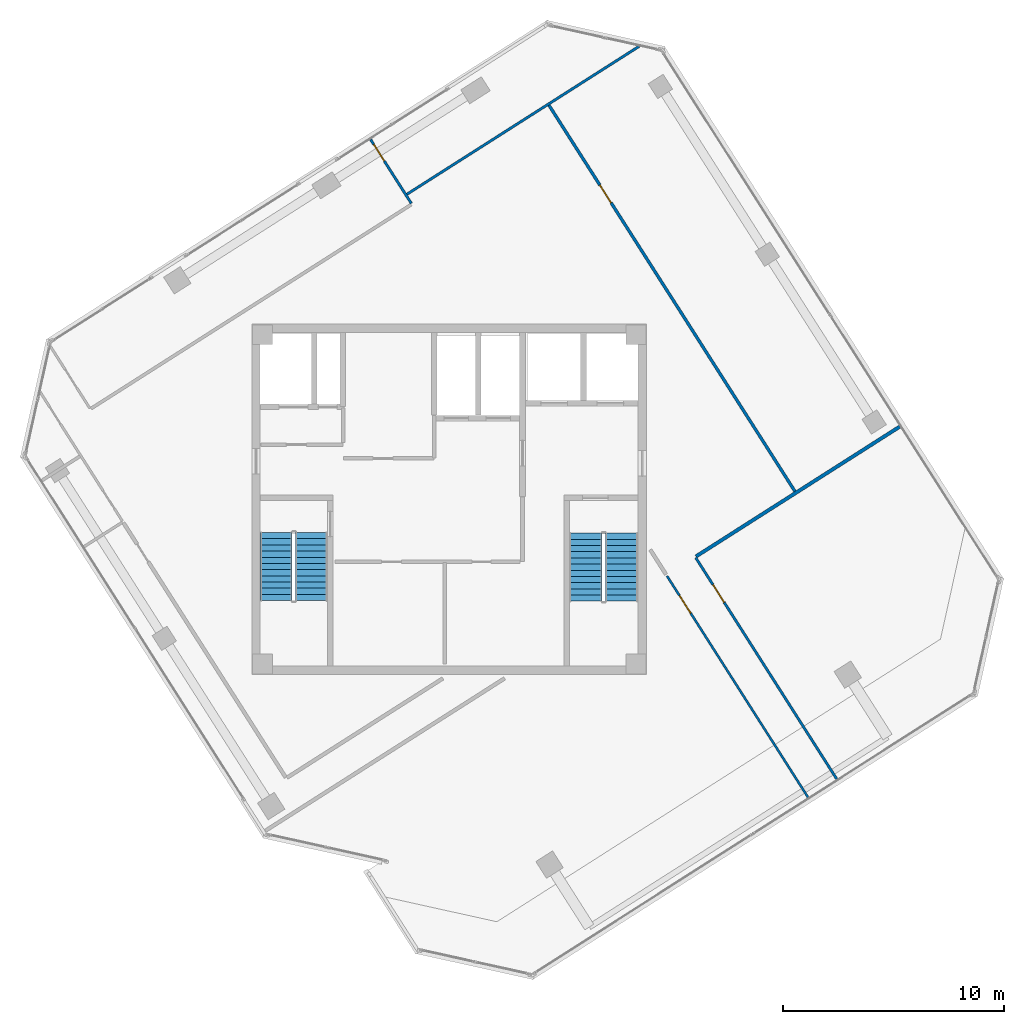
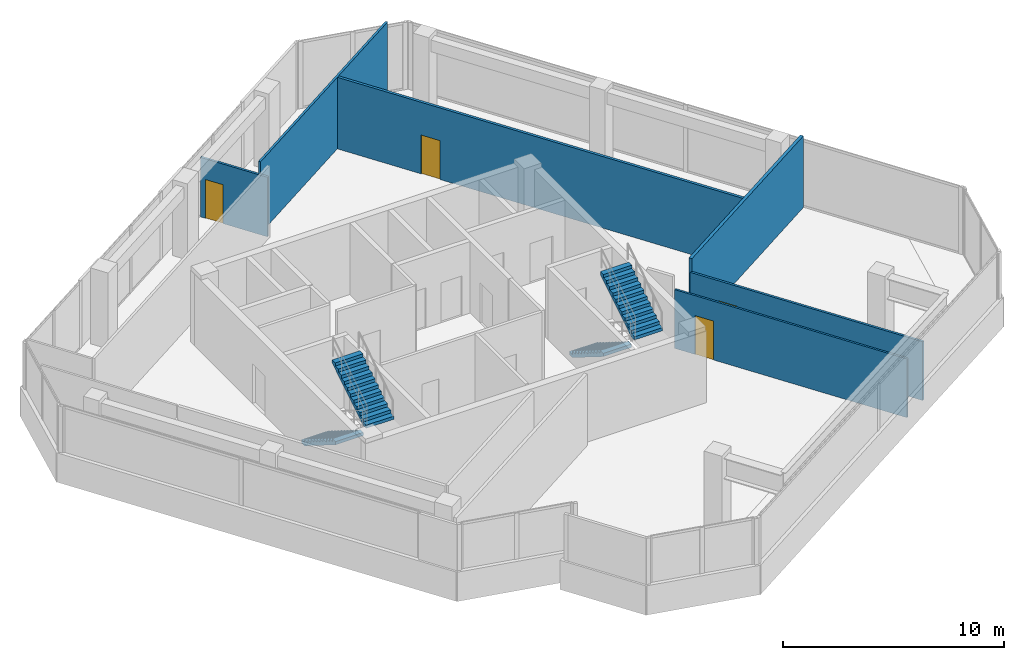
# One storey, part 12 of 15: 6 walls, 4 doors, 4 stair flights, 4 openings, 2 elements without a shape of their own.
"""IFC4 building model written with IfcOpenShell, lengths in metres."""

from ifc_helpers import new_model, si_unit, direction, frame, frame_2d, origin, place, context, subcontext, project, spatial, polyline, rectangle, outline, extrude, source, transform, mapped, material, layer, layer_set, type_object, element, fill, aggregate, save


model = new_model("IFC4")

# Units and contexts
model_context = context("Model", 3, precision=1e-05, world=origin(), true_north=direction((0.0, 1.0)))
body_context = subcontext(model_context, "Body", "Model", "MODEL_VIEW")
ifc_project = project(units=[si_unit("LENGTHUNIT", "METRE"), si_unit("AREAUNIT", "SQUARE_METRE"), si_unit("VOLUMEUNIT", "CUBIC_METRE"), si_unit("PLANEANGLEUNIT", "RADIAN"), si_unit("MASSUNIT", "GRAM", prefix="KILO")], contexts=[model_context])

# Site, building, storey
site_placement = place(None, origin())
site = spatial("IfcSite", under=ifc_project, at=site_placement, CompositionType="ELEMENT")
building_placement = place(site_placement, origin())
building = spatial("IfcBuilding", under=site, at=building_placement, Name="Torre Montelarca", CompositionType="ELEMENT")
storey_placement = place(building_placement, frame((0.0, 0.0, 311.39990234375)))
storey = spatial("IfcBuildingStorey", under=building, at=storey_placement, Name="L70", CompositionType="ELEMENT", Elevation=311.39990234375)

# Wall
ifc_material_1 = material(Name="Gypsum plasterboard on steel stud", Category="steel")
ifc_layer_1 = layer(ifc_material_1, 0.159912109375, Name="Gypsum plasterboard on steel stud", Category="steel")
ifc_layer_set_1 = layer_set([ifc_layer_1], Name="Gypsum plasterboard on steel stud")
wall_type_1 = type_object("IfcWallType", Name="PW-FIRE-160", PredefinedType="PARTITIONING", material=ifc_layer_set_1)
wall_1_placement = place(storey_placement, frame((29.16943359375, 29.416015625, 0.0), z_axis=(0.0, 0.0, 1.0), x_axis=(0.843389386546, 0.537302840734, 0.0)))
element("IfcWall", 1, at=wall_1_placement, inside=storey, type_object=wall_type_1, Name="L70 Interior Partition W-L70-ECN", PredefinedType="PARTITIONING", context=body_context, shape_type="SweptSolid", body=[
    extrude(rectangle(XDim=10.940185546875, YDim=0.159912109375, at=frame_2d((5.47021484375, 0.0))), origin(), (0.0, 0.0, 1.0), 3.960205078125),
])

# Wall, opening, door
ifc_material_2 = material(Name="Acoustic laminated glass partition", Category="glass")
ifc_layer_2 = layer(ifc_material_2, 0.10009765625, Name="Acoustic laminated glass partition", Category="glass")
ifc_layer_set_2 = layer_set([ifc_layer_2], Name="Acoustic laminated glass partition")
wall_type_2 = type_object("IfcWallType", Name="PW-GLAZ-100", PredefinedType="PARTITIONING", material=ifc_layer_set_2)
wall_2_placement = place(storey_placement, frame((27.8583984375, 28.533447265625, 0.0), z_axis=(0.0, 0.0, 1.0), x_axis=(0.537294294715, -0.843394830946, 0.0)))
wall_2 = element("IfcWall", 2, at=wall_2_placement, inside=storey, type_object=wall_type_2, Name="L70 Interior Partition W-L70-SE-N", PredefinedType="PARTITIONING", context=body_context, shape_type="SweptSolid", body=[
    extrude(rectangle(XDim=11.8798828125, YDim=0.10009765625, at=frame_2d((5.93994140625, 0.0))), origin(), (0.0, 0.0, 1.0), 3.252685546875),
])
opening_1_placement = place(wall_2_placement, frame((1.050048828125, 0.0, 0.0)))
opening_1 = element("IfcOpeningElement", 3, at=opening_1_placement, cuts=wall_2, Name="Opening ID-095", PredefinedType="OPENING", context=body_context, shape_type="SweptSolid", body=[
    extrude(rectangle(XDim=0.949951171875, YDim=2.14990234375, at=frame_2d((0.47509765625, 1.074951171875))), frame((0.0, 0.06005859375, 0.0), z_axis=(0.0, -1.0, 0.0), x_axis=(1.0, 0.0, 0.0)), (0.0, 0.0, 1.0), 0.1201171875),
])
ifc_material_3 = material(Name="Hardwood acoustic timber veneer", Category="wood")
door_type_1 = type_object("IfcDoorType", Name="DR-INT-095", OperationType="NOTDEFINED", PredefinedType="DOOR", material=ifc_material_3)
shared_shape_1 = source(origin(), body_context, "Body", "SweptSolid", [
    extrude(rectangle(XDim=0.949951171875, YDim=2.14990234375, at=frame_2d((0.47509765625, 1.074951171875))), frame((0.0, 0.02490234375, 0.0), z_axis=(0.0, -1.0, 0.0), x_axis=(1.0, 0.0, 0.0)), (0.0, 0.0, 1.0), 0.050048828125),
])
door_1_placement = place(opening_1_placement, origin())
door_1 = element("IfcDoor", 4, at=door_1_placement, inside=storey, type_object=door_type_1, Name="L70 Interior Door 12", OperationType="SINGLE_SWING_LEFT", OverallHeight=2.14990234375, OverallWidth=0.949951171875, PredefinedType="DOOR", context=body_context, shape_type="MappedRepresentation", body=[
    mapped(shared_shape_1, transform((0.0, 0.0, 0.0), scale=1.0)),
])
fill(opening_1, door_1)

ifc_layer_3 = layer(ifc_material_1, 0.114990234375, Name="Gypsum plasterboard on steel stud", Category="steel")
ifc_layer_set_3 = layer_set([ifc_layer_3], Name="Gypsum plasterboard on steel stud")
wall_type_3 = type_object("IfcWallType", Name="PW-PART-115", PredefinedType="PARTITIONING", material=ifc_layer_set_3)
wall_3_placement = place(storey_placement, frame((14.447998046875, 48.28076171875, 0.0), z_axis=(0.0, 0.0, 1.0), x_axis=(0.537285301829, -0.843400559899, 0.0)))
wall_3 = element("IfcWall", 5, at=wall_3_placement, inside=storey, type_object=wall_type_3, Name="L70 Interior Partition W-L70-WPKN", PredefinedType="PARTITIONING", context=body_context, shape_type="SweptSolid", body=[
    extrude(rectangle(XDim=3.43017578125, YDim=0.114990234375, at=frame_2d((1.715087890625, 0.0))), origin(), (0.0, 0.0, 1.0), 3.295166015625),
])
opening_2_placement = place(wall_3_placement, frame((0.25, 0.0, 0.0)))
opening_2 = element("IfcOpeningElement", 6, at=opening_2_placement, cuts=wall_3, Name="Opening ID-090", PredefinedType="OPENING", context=body_context, shape_type="SweptSolid", body=[
    extrude(rectangle(XDim=0.89990234375, YDim=2.14990234375, at=frame_2d((0.449951171875, 1.074951171875))), frame((0.0, 0.0673828125, 0.0), z_axis=(0.0, -1.0, 0.0), x_axis=(1.0, 0.0, 0.0)), (0.0, 0.0, 1.0), 0.135009765625),
])
door_type_2 = type_object("IfcDoorType", Name="DR-INT-090", OperationType="NOTDEFINED", PredefinedType="DOOR", material=ifc_material_3)
shared_shape_2 = source(origin(), body_context, "Body", "SweptSolid", [
    extrude(rectangle(XDim=0.89990234375, YDim=2.14990234375, at=frame_2d((0.449951171875, 1.074951171875))), frame((0.0, 0.02490234375, 0.0), z_axis=(0.0, -1.0, 0.0), x_axis=(1.0, 0.0, 0.0)), (0.0, 0.0, 1.0), 0.050048828125),
])
door_2_placement = place(opening_2_placement, origin())
door_2 = element("IfcDoor", 7, at=door_2_placement, inside=storey, type_object=door_type_2, Name="L70 Interior Door 10", OperationType="SINGLE_SWING_RIGHT", OverallHeight=2.14990234375, OverallWidth=0.89990234375, PredefinedType="DOOR", context=body_context, shape_type="MappedRepresentation", body=[
    mapped(shared_shape_2, transform((0.0, 0.0, 0.0), scale=1.0)),
])
fill(opening_2, door_2)

# Wall
wall_4_placement = place(storey_placement, frame((16.077392578125, 45.79736328125, 0.0), z_axis=(0.0, 0.0, 1.0), x_axis=(0.843392973199, 0.537297210824, 0.0)))
element("IfcWall", 8, at=wall_4_placement, inside=storey, type_object=wall_type_3, Name="L70 Interior Partition W-L70-WPKE2", PredefinedType="PARTITIONING", context=body_context, shape_type="SweptSolid", body=[
    extrude(rectangle(XDim=12.471923828125, YDim=0.114990234375, at=frame_2d((6.23583984375, 0.0))), origin(), (0.0, 0.0, 1.0), 3.960205078125),
])

# Wall, opening, door
wall_5_placement = place(storey_placement, frame((29.1572265625, 29.36083984375, 0.0), z_axis=(0.0, 0.0, 1.0), x_axis=(0.537294294715, -0.843394830946, 0.0)))
wall_5 = element("IfcWall", 9, at=wall_5_placement, inside=storey, type_object=wall_type_3, Name="L70 Interior Partition W-L70-NE-S", PredefinedType="PARTITIONING", context=body_context, shape_type="SweptSolid", body=[
    extrude(rectangle(XDim=11.8798828125, YDim=0.114990234375, at=frame_2d((5.93994140625, 0.0))), origin(), (0.0, 0.0, 1.0), 3.252685546875),
])
opening_3_placement = place(wall_5_placement, frame((1.449951171875, 0.0, 0.0)))
opening_3 = element("IfcOpeningElement", 10, at=opening_3_placement, cuts=wall_5, Name="Opening ID-095", PredefinedType="OPENING", context=body_context, shape_type="SweptSolid", body=[
    extrude(rectangle(XDim=0.949951171875, YDim=2.14990234375, at=frame_2d((0.47509765625, 1.074951171875))), frame((0.0, 0.0673828125, 0.0), z_axis=(0.0, -1.0, 0.0), x_axis=(1.0, 0.0, 0.0)), (0.0, 0.0, 1.0), 0.135009765625),
])
door_3_placement = place(opening_3_placement, origin())
door_3 = element("IfcDoor", 11, at=door_3_placement, inside=storey, type_object=door_type_1, Name="L70 Interior Door 11", OperationType="SINGLE_SWING_LEFT", OverallHeight=2.14990234375, OverallWidth=0.949951171875, PredefinedType="DOOR", context=body_context, shape_type="MappedRepresentation", body=[
    mapped(shared_shape_1, transform((0.0, 0.0, 0.0), scale=1.0)),
])
fill(opening_3, door_3)

ifc_layer_4 = layer(ifc_material_1, 0.135009765625, Name="Gypsum plasterboard on steel stud", Category="steel")
ifc_layer_set_4 = layer_set([ifc_layer_4], Name="Gypsum plasterboard on steel stud")
wall_type_4 = type_object("IfcWallType", Name="PW-PART-135", PredefinedType="PARTITIONING", material=ifc_layer_set_4)
wall_6_placement = place(storey_placement, frame((22.5087890625, 49.84716796875, 0.0), z_axis=(0.0, 0.0, 1.0), x_axis=(0.537290700932, -0.843397120396, 0.0)))
wall_6 = element("IfcWall", 12, at=wall_6_placement, inside=storey, type_object=wall_type_4, Name="L70 Interior Partition W-L70-NBOT", PredefinedType="PARTITIONING", context=body_context, shape_type="SweptSolid", body=[
    extrude(rectangle(XDim=20.770263671875, YDim=0.135009765625, at=frame_2d((10.38525390625, 0.0))), origin(), (0.0, 0.0, 1.0), 3.960205078125),
])
opening_4_placement = place(wall_6_placement, frame((4.300048828125, 0.0, 0.0)))
opening_4 = element("IfcOpeningElement", 13, at=opening_4_placement, cuts=wall_6, Name="Opening ID-095", PredefinedType="OPENING", context=body_context, shape_type="SweptSolid", body=[
    extrude(rectangle(XDim=0.949951171875, YDim=2.14990234375, at=frame_2d((0.47509765625, 1.074951171875))), frame((0.0, 0.07763671875, 0.0), z_axis=(0.0, -1.0, 0.0), x_axis=(1.0, 0.0, 0.0)), (0.0, 0.0, 1.0), 0.155029296875),
])
door_4_placement = place(opening_4_placement, origin())
door_4 = element("IfcDoor", 14, at=door_4_placement, inside=storey, type_object=door_type_1, Name="L70 Interior Door 08", OperationType="SINGLE_SWING_LEFT", OverallHeight=2.14990234375, OverallWidth=0.949951171875, PredefinedType="DOOR", context=body_context, shape_type="MappedRepresentation", body=[
    mapped(shared_shape_1, transform((0.0, 0.0, 0.0), scale=1.0)),
])
fill(opening_4, door_4)

# Stair, stair flights
ifc_material_4 = material(Name="Concrete C40/50", Category="concrete")
stair_type_1 = type_object("IfcStairType", Name="ST-CORE-ST1", PredefinedType="HALF_TURN_STAIR", material=ifc_material_4)
stair_1_placement = place(storey_placement, origin())
stair_1 = element("IfcStair", 15, at=stair_1_placement, inside=storey, type_object=stair_type_1, Name="L70 Protected Exit Stair ST1", PredefinedType="HALF_TURN_STAIR")
stair_flight_type_1 = type_object("IfcStairFlightType", Name="SFL-CORE-ST1", PredefinedType="STRAIGHT", material=ifc_material_4)
stair_flight_1_placement = place(storey_placement, frame((10.175048828125, 30.5, 0.0), z_axis=(0.0, 0.0, 1.0), x_axis=(0.0, -1.0, 0.0)))
stair_flight_1 = element("IfcStairFlight", 16, at=stair_flight_1_placement, type_object=stair_flight_type_1, Name="ST1 flight 1", NumberOfRisers=12, NumberOfTreads=11, PredefinedType="STRAIGHT", RiserHeight=0.175, TreadLength=0.28, context=body_context, shape_type="SweptSolid", body=[
    extrude(outline(polyline([(0.0, 0.0), (0.0, 0.175048828125), (0.280029296875, 0.175048828125), (0.280029296875, 0.35009765625), (0.56005859375, 0.35009765625), (0.56005859375, 0.52490234375), (0.840087890625, 0.52490234375), (0.840087890625, 0.699951171875), (1.1201171875, 0.699951171875), (1.1201171875, 0.875), (1.39990234375, 0.875), (1.39990234375, 1.050048828125), (1.679931640625, 1.050048828125), (1.679931640625, 1.22509765625), (1.9599609375, 1.22509765625), (1.9599609375, 1.39990234375), (2.239990234375, 1.39990234375), (2.239990234375, 1.574951171875), (2.52001953125, 1.574951171875), (2.52001953125, 1.75), (2.800048828125, 1.75), (2.800048828125, 1.925048828125), (3.080078125, 1.925048828125), (3.080078125, 2.10009765625), (3.080078125, 1.748291015625), (0.28271484375, 0.0), (0.0, 0.0)])), frame((0.0, 0.72509765625, 0.0), z_axis=(0.0, -1.0, 0.0), x_axis=(1.0, 0.0, 0.0)), (0.0, 0.0, 1.0), 1.449951171875),
])
stair_flight_2_placement = place(storey_placement, frame((11.77490234375, 27.419921875, 2.10009765625), z_axis=(0.0, 0.0, 1.0), x_axis=(0.0, 1.0, 0.0)))
stair_flight_2 = element("IfcStairFlight", 17, at=stair_flight_2_placement, type_object=stair_flight_type_1, Name="ST1 flight 2", NumberOfRisers=12, NumberOfTreads=11, PredefinedType="STRAIGHT", RiserHeight=0.175, TreadLength=0.28, context=body_context, shape_type="SweptSolid", body=[
    extrude(outline(polyline([(0.0, 0.0), (0.0, 0.175048828125), (0.280029296875, 0.175048828125), (0.280029296875, 0.35009765625), (0.56005859375, 0.35009765625), (0.56005859375, 0.52490234375), (0.840087890625, 0.52490234375), (0.840087890625, 0.699951171875), (1.1201171875, 0.699951171875), (1.1201171875, 0.875), (1.39990234375, 0.875), (1.39990234375, 1.050048828125), (1.679931640625, 1.050048828125), (1.679931640625, 1.22509765625), (1.9599609375, 1.22509765625), (1.9599609375, 1.39990234375), (2.239990234375, 1.39990234375), (2.239990234375, 1.574951171875), (2.52001953125, 1.574951171875), (2.52001953125, 1.75), (2.800048828125, 1.75), (2.800048828125, 1.925048828125), (3.080078125, 1.925048828125), (3.080078125, 2.10009765625), (3.080078125, 1.748291015625), (0.28271484375, 0.0), (0.0, 0.0)])), frame((0.0, 0.72509765625, 0.0), z_axis=(0.0, -1.0, 0.0), x_axis=(1.0, 0.0, 0.0)), (0.0, 0.0, 1.0), 1.449951171875),
])
aggregate(stair_1, [stair_flight_1, stair_flight_2])

stair_type_2 = type_object("IfcStairType", Name="ST-CORE-ST2", PredefinedType="HALF_TURN_STAIR", material=ifc_material_4)
stair_2_placement = place(storey_placement, origin())
stair_2 = element("IfcStair", 18, at=stair_2_placement, inside=storey, type_object=stair_type_2, Name="L70 Protected Exit Stair ST2", PredefinedType="HALF_TURN_STAIR")
stair_flight_type_2 = type_object("IfcStairFlightType", Name="SFL-CORE-ST2", PredefinedType="STRAIGHT", material=ifc_material_4)
stair_flight_3_placement = place(storey_placement, frame((24.179931640625, 30.469970703125, 0.0), z_axis=(0.0, 0.0, 1.0), x_axis=(0.0, -1.0, 0.0)))
stair_flight_3 = element("IfcStairFlight", 19, at=stair_flight_3_placement, type_object=stair_flight_type_2, Name="ST2 flight 1", NumberOfRisers=12, NumberOfTreads=11, PredefinedType="STRAIGHT", RiserHeight=0.175, TreadLength=0.28, context=body_context, shape_type="SweptSolid", body=[
    extrude(outline(polyline([(0.0, 0.0), (0.0, 0.175048828125), (0.280029296875, 0.175048828125), (0.280029296875, 0.35009765625), (0.56005859375, 0.35009765625), (0.56005859375, 0.52490234375), (0.840087890625, 0.52490234375), (0.840087890625, 0.699951171875), (1.1201171875, 0.699951171875), (1.1201171875, 0.875), (1.39990234375, 0.875), (1.39990234375, 1.050048828125), (1.679931640625, 1.050048828125), (1.679931640625, 1.22509765625), (1.9599609375, 1.22509765625), (1.9599609375, 1.39990234375), (2.239990234375, 1.39990234375), (2.239990234375, 1.574951171875), (2.52001953125, 1.574951171875), (2.52001953125, 1.75), (2.800048828125, 1.75), (2.800048828125, 1.925048828125), (3.080078125, 1.925048828125), (3.080078125, 2.10009765625), (3.080078125, 1.748291015625), (0.28271484375, 0.0), (0.0, 0.0)])), frame((0.0, 0.739990234375, 0.0), z_axis=(0.0, -1.0, 0.0), x_axis=(1.0, 0.0, 0.0)), (0.0, 0.0, 1.0), 1.47998046875),
])
stair_flight_4_placement = place(storey_placement, frame((25.81005859375, 27.389892578125, 2.10009765625), z_axis=(0.0, 0.0, 1.0), x_axis=(0.0, 1.0, 0.0)))
stair_flight_4 = element("IfcStairFlight", 20, at=stair_flight_4_placement, type_object=stair_flight_type_2, Name="ST2 flight 2", NumberOfRisers=12, NumberOfTreads=11, PredefinedType="STRAIGHT", RiserHeight=0.175, TreadLength=0.28, context=body_context, shape_type="SweptSolid", body=[
    extrude(outline(polyline([(0.0, 0.0), (0.0, 0.175048828125), (0.280029296875, 0.175048828125), (0.280029296875, 0.35009765625), (0.56005859375, 0.35009765625), (0.56005859375, 0.52490234375), (0.840087890625, 0.52490234375), (0.840087890625, 0.699951171875), (1.1201171875, 0.699951171875), (1.1201171875, 0.875), (1.39990234375, 0.875), (1.39990234375, 1.050048828125), (1.679931640625, 1.050048828125), (1.679931640625, 1.22509765625), (1.9599609375, 1.22509765625), (1.9599609375, 1.39990234375), (2.239990234375, 1.39990234375), (2.239990234375, 1.574951171875), (2.52001953125, 1.574951171875), (2.52001953125, 1.75), (2.800048828125, 1.75), (2.800048828125, 1.925048828125), (3.080078125, 1.925048828125), (3.080078125, 2.10009765625), (3.080078125, 1.748291015625), (0.28271484375, 0.0), (0.0, 0.0)])), frame((0.0, 0.739990234375, 0.0), z_axis=(0.0, -1.0, 0.0), x_axis=(1.0, 0.0, 0.0)), (0.0, 0.0, 1.0), 1.47998046875),
])
aggregate(stair_2, [stair_flight_3, stair_flight_4])

save(model, "model.ifc")
